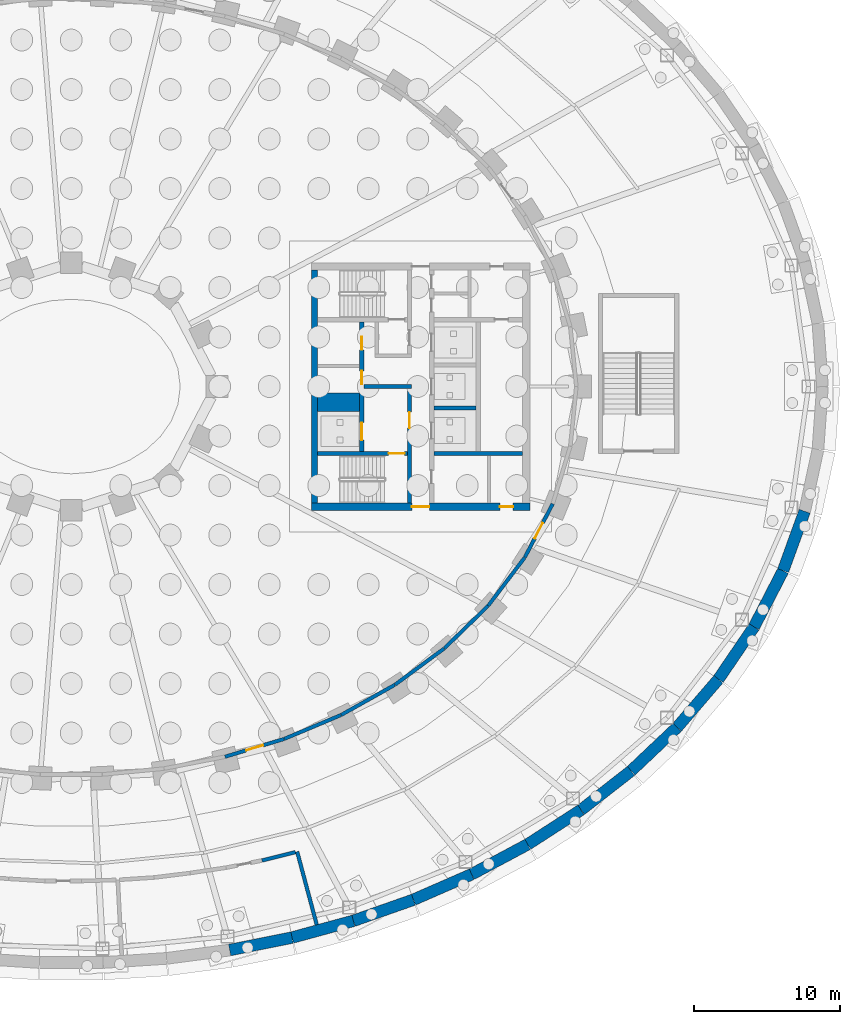
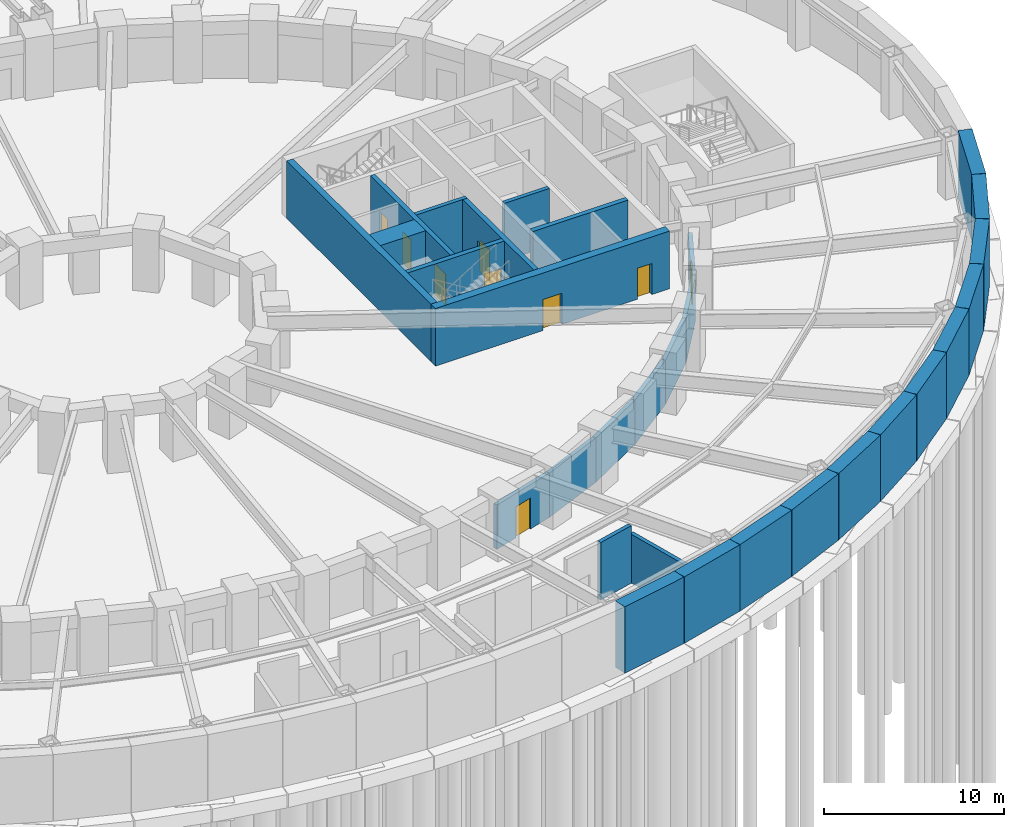
# One storey, part 13 of 19: 30 walls, 9 doors, 9 openings.
"""IFC4 building model written with IfcOpenShell, lengths in metres."""

from ifc_helpers import new_model, si_unit, direction, frame, frame_2d, origin, place, context, subcontext, project, spatial, rectangle, extrude, material, layer, layer_set, type_object, element, fill, save


model = new_model("IFC4")

# Units and contexts
model_context = context("Model", 3, precision=1e-05, world=origin(), true_north=direction((0.0, 1.0)))
body_context = subcontext(model_context, "Body", "Model", "MODEL_VIEW")
ifc_project = project(units=[si_unit("LENGTHUNIT", "METRE"), si_unit("AREAUNIT", "SQUARE_METRE"), si_unit("VOLUMEUNIT", "CUBIC_METRE"), si_unit("PLANEANGLEUNIT", "RADIAN"), si_unit("MASSUNIT", "GRAM", prefix="KILO")], contexts=[model_context])

# Site, building, storey
site_placement = place(None, origin())
site = spatial("IfcSite", under=ifc_project, at=site_placement, CompositionType="ELEMENT")
building_placement = place(site_placement, origin())
building = spatial("IfcBuilding", under=site, at=building_placement, Name="Noorbagh Ring Tower", CompositionType="ELEMENT")
storey_placement = place(building_placement, frame((0.0, 0.0, -8.39990234375)))
storey = spatial("IfcBuildingStorey", under=building, at=storey_placement, Name="B2", CompositionType="ELEMENT", Elevation=-8.39990234375)

# Walls
ifc_material_1 = material(Name="Concrete C70/85", Category="concrete")
ifc_layer_1 = layer(ifc_material_1, 1.25)
ifc_layer_set_1 = layer_set([ifc_layer_1], Name="Concrete C70/85")
wall_type_1 = type_object("IfcWallType", Name="CORE-WALL-1250-C70-85-EI120", PredefinedType="SHEAR", material=ifc_layer_set_1)
wall_1_placement = place(storey_placement, frame((16.89990234375, -1.074951171875, 0.0), z_axis=(0.0, 0.0, 1.0), x_axis=(1.0, 0.0, 0.0)))
element("IfcWall", 1, at=wall_1_placement, inside=storey, type_object=wall_type_1, Name="Core wall E", PredefinedType="SHEAR", context=body_context, shape_type="SweptSolid", body=[
    extrude(rectangle(XDim=2.900146484375, YDim=1.25, at=frame_2d((1.4501953125, 0.0))), origin(), (0.0, 0.0, 1.0), 3.89990234375),
])
ifc_material_2 = material(Name="Concrete C70/85", Category="concrete")
ifc_layer_2 = layer(ifc_material_2, 0.25)
ifc_layer_set_2 = layer_set([ifc_layer_2], Name="Concrete C70/85")
wall_type_2 = type_object("IfcWallType", Name="CORE-WALL-250-C70-85-EI120", PredefinedType="SHEAR", material=ifc_layer_set_2)
wall_2_placement = place(storey_placement, frame((24.89990234375, -1.47509765625, 0.0), z_axis=(0.0, 0.0, 1.0), x_axis=(1.0, 0.0, 0.0)))
element("IfcWall", 2, at=wall_2_placement, inside=storey, type_object=wall_type_2, Name="Core wall E", PredefinedType="SHEAR", context=body_context, shape_type="SweptSolid", body=[
    extrude(rectangle(XDim=2.900146484375, YDim=0.25, at=frame_2d((1.4501953125, 0.0))), origin(), (0.0, 0.0, 1.0), 3.89990234375),
])
ifc_material_3 = material(Name="Concrete C70/85", Category="concrete")
ifc_layer_3 = layer(ifc_material_3, 0.25)
ifc_layer_set_3 = layer_set([ifc_layer_3], Name="Concrete C70/85")
wall_type_3 = type_object("IfcWallType", Name="CORE-WALL-250-C70-85-EI240", PredefinedType="SHEAR", material=ifc_layer_set_3)
wall_3_placement = place(storey_placement, frame((20.10009765625, 0.0, 0.0), z_axis=(0.0, 0.0, 1.0), x_axis=(1.0, 0.0, 0.0)))
element("IfcWall", 3, at=wall_3_placement, inside=storey, type_object=wall_type_3, Name="Core wall E", PredefinedType="SHEAR", context=body_context, shape_type="SweptSolid", body=[
    extrude(rectangle(XDim=3.27978515625, YDim=0.25, at=frame_2d((1.639892578125, 0.0))), origin(), (0.0, 0.0, 1.0), 3.89990234375),
])

# Wall, openings, doors
ifc_material_4 = material(Name="Concrete C70/85", Category="concrete")
ifc_layer_4 = layer(ifc_material_4, 0.300048828125)
ifc_layer_set_4 = layer_set([ifc_layer_4], Name="Concrete C70/85")
wall_type_4 = type_object("IfcWallType", Name="CORE-WALL-300-C70-85-EI120", PredefinedType="SHEAR", material=ifc_layer_set_4)
wall_4_placement = place(storey_placement, frame((19.949951171875, -4.449951171875, 0.0), z_axis=(0.0, 0.0, 1.0), x_axis=(0.0, 1.0, 0.0)))
wall_4 = element("IfcWall", 4, at=wall_4_placement, inside=storey, type_object=wall_type_4, Name="Core wall E", PredefinedType="SHEAR", context=body_context, shape_type="SweptSolid", body=[
    extrude(rectangle(XDim=8.89990234375, YDim=0.300048828125, at=frame_2d((4.449951171875, 0.0))), origin(), (0.0, 0.0, 1.0), 3.89990234375),
])
opening_1_placement = place(wall_4_placement, frame((0.77490234375, 0.0, 0.0)))
opening_1 = element("IfcOpeningElement", 5, at=opening_1_placement, cuts=wall_4, Name="Opening B2-CE01", PredefinedType="OPENING", context=body_context, shape_type="SweptSolid", body=[
    extrude(rectangle(XDim=1.199951171875, YDim=2.10009765625, at=frame_2d((0.60009765625, 1.050048828125))), frame((0.0, 0.16015625, 0.0), z_axis=(0.0, -1.0, 0.0), x_axis=(1.0, 0.0, 0.0)), (0.0, 0.0, 1.0), 0.320068359375),
])
opening_2_placement = place(wall_4_placement, frame((4.6201171875, 0.0, 0.0)))
opening_2 = element("IfcOpeningElement", 6, at=opening_2_placement, cuts=wall_4, Name="Opening B2-CE11", PredefinedType="OPENING", context=body_context, shape_type="SweptSolid", body=[
    extrude(rectangle(XDim=0.89990234375, YDim=2.10009765625, at=frame_2d((0.449951171875, 1.050048828125))), frame((0.0, 0.16015625, 0.0), z_axis=(0.0, -1.0, 0.0), x_axis=(1.0, 0.0, 0.0)), (0.0, 0.0, 1.0), 0.320068359375),
])
opening_3_placement = place(wall_4_placement, frame((6.97509765625, 0.0, 0.0)))
opening_3 = element("IfcOpeningElement", 7, at=opening_3_placement, cuts=wall_4, Name="Opening B2-CE12", PredefinedType="OPENING", context=body_context, shape_type="SweptSolid", body=[
    extrude(rectangle(XDim=0.89990234375, YDim=2.10009765625, at=frame_2d((0.449951171875, 1.050048828125))), frame((0.0, 0.16015625, 0.0), z_axis=(0.0, -1.0, 0.0), x_axis=(1.0, 0.0, 0.0)), (0.0, 0.0, 1.0), 0.320068359375),
])
ifc_material_5 = material(Name="Steel door leaf", Category="steel")
door_type_1 = type_object("IfcDoorType", Name="CORE-DOOR-DROOM", OperationType="SINGLE_SWING_LEFT", PredefinedType="DOOR", material=ifc_material_5)
door_1_placement = place(opening_2_placement, origin())
door_1 = element("IfcDoor", 8, at=door_1_placement, inside=storey, type_object=door_type_1, Name="Core room door B2-CE11", OperationType="SINGLE_SWING_LEFT", OverallHeight=2.10009765625, OverallWidth=0.89990234375, PredefinedType="DOOR", context=body_context, shape_type="SweptSolid", body=[
    extrude(rectangle(XDim=0.89990234375, YDim=2.10009765625, at=frame_2d((0.449951171875, 1.050048828125))), frame((0.0, 0.02490234375, 0.0), z_axis=(0.0, -1.0, 0.0), x_axis=(1.0, 0.0, 0.0)), (0.0, 0.0, 1.0), 0.050048828125),
])
fill(opening_2, door_1)
door_2_placement = place(opening_3_placement, origin())
door_2 = element("IfcDoor", 9, at=door_2_placement, inside=storey, type_object=door_type_1, Name="Core room door B2-CE12", OperationType="SINGLE_SWING_RIGHT", OverallHeight=2.10009765625, OverallWidth=0.89990234375, PredefinedType="DOOR", context=body_context, shape_type="SweptSolid", body=[
    extrude(rectangle(XDim=0.89990234375, YDim=2.10009765625, at=frame_2d((0.449951171875, 1.050048828125))), frame((0.0, 0.02490234375, 0.0), z_axis=(0.0, -1.0, 0.0), x_axis=(1.0, 0.0, 0.0)), (0.0, 0.0, 1.0), 0.050048828125),
])
fill(opening_3, door_2)
ifc_material_6 = material(Name="Steel door leaf", Category="steel")
door_type_2 = type_object("IfcDoorType", Name="CORE-DOOR-LDW", OperationType="DOUBLE_DOOR_SLIDING", PredefinedType="DOOR", material=ifc_material_6)
door_3_placement = place(opening_1_placement, origin())
door_3 = element("IfcDoor", 10, at=door_3_placement, inside=storey, type_object=door_type_2, Name="Landing door FF2 B2-CE01", OperationType="DOUBLE_DOOR_SLIDING", OverallHeight=2.10009765625, OverallWidth=1.199951171875, PredefinedType="DOOR", context=body_context, shape_type="SweptSolid", body=[
    extrude(rectangle(XDim=1.199951171875, YDim=2.10009765625, at=frame_2d((0.60009765625, 1.050048828125))), frame((0.0, 0.02490234375, 0.0), z_axis=(0.0, -1.0, 0.0), x_axis=(1.0, 0.0, 0.0)), (0.0, 0.0, 1.0), 0.050048828125),
])
fill(opening_1, door_3)

# Wall
ifc_material_7 = material(Name="Concrete C70/85", Category="concrete")
ifc_layer_5 = layer(ifc_material_7, 0.300048828125)
ifc_layer_set_5 = layer_set([ifc_layer_5], Name="Concrete C70/85")
wall_type_5 = type_object("IfcWallType", Name="CORE-WALL-300-C70-85-EI240", PredefinedType="SHEAR", material=ifc_layer_set_5)
wall_5_placement = place(storey_placement, frame((24.89990234375, -4.60009765625, 0.0), z_axis=(0.0, 0.0, 1.0), x_axis=(1.0, 0.0, 0.0)))
element("IfcWall", 11, at=wall_5_placement, inside=storey, type_object=wall_type_5, Name="Core wall E", PredefinedType="SHEAR", context=body_context, shape_type="SweptSolid", body=[
    extrude(rectangle(XDim=6.10009765625, YDim=0.300048828125, at=frame_2d((3.050048828125, 0.0))), origin(), (0.0, 0.0, 1.0), 3.89990234375),
])

# Wall, opening, door
wall_6_placement = place(storey_placement, frame((23.22998046875, -8.0, 0.0), z_axis=(0.0, 0.0, 1.0), x_axis=(0.0, 1.0, 0.0)))
wall_6 = element("IfcWall", 12, at=wall_6_placement, inside=storey, type_object=wall_type_5, Name="Core wall E", PredefinedType="SHEAR", context=body_context, shape_type="SweptSolid", body=[
    extrude(rectangle(XDim=7.875, YDim=0.300048828125, at=frame_2d((3.9375, 0.0))), origin(), (0.0, 0.0, 1.0), 3.89990234375),
])
opening_4_placement = place(wall_6_placement, frame((5.14990234375, 0.0, 0.0)))
opening_4 = element("IfcOpeningElement", 13, at=opening_4_placement, cuts=wall_6, Name="Opening B2-CE07", PredefinedType="OPENING", context=body_context, shape_type="SweptSolid", body=[
    extrude(rectangle(XDim=1.10009765625, YDim=2.10009765625, at=frame_2d((0.550048828125, 1.050048828125))), frame((0.0, 0.16015625, 0.0), z_axis=(0.0, -1.0, 0.0), x_axis=(1.0, 0.0, 0.0)), (0.0, 0.0, 1.0), 0.320068359375),
])
ifc_material_8 = material(Name="Steel door leaf", Category="steel")
door_type_3 = type_object("IfcDoorType", Name="CORE-DOOR-DFF", OperationType="SINGLE_SWING_LEFT", PredefinedType="DOOR", material=ifc_material_8)
door_4_placement = place(opening_4_placement, origin())
door_4 = element("IfcDoor", 14, at=door_4_placement, inside=storey, type_object=door_type_3, Name="Firefighting lobby door B2-CE07", OperationType="SINGLE_SWING_RIGHT", OverallHeight=2.10009765625, OverallWidth=1.10009765625, PredefinedType="DOOR", context=body_context, shape_type="SweptSolid", body=[
    extrude(rectangle(XDim=1.10009765625, YDim=2.10009765625, at=frame_2d((0.550048828125, 1.050048828125))), frame((0.0, 0.02490234375, 0.0), z_axis=(0.0, -1.0, 0.0), x_axis=(1.0, 0.0, 0.0)), (0.0, 0.0, 1.0), 0.050048828125),
])
fill(opening_4, door_4)

wall_7_placement = place(storey_placement, frame((16.89990234375, -4.60009765625, 0.0), z_axis=(0.0, 0.0, 1.0), x_axis=(1.0, 0.0, 0.0)))
wall_7 = element("IfcWall", 15, at=wall_7_placement, inside=storey, type_object=wall_type_5, Name="Core wall E", PredefinedType="SHEAR", context=body_context, shape_type="SweptSolid", body=[
    extrude(rectangle(XDim=6.18017578125, YDim=0.300048828125, at=frame_2d((3.090087890625, 0.0))), origin(), (0.0, 0.0, 1.0), 3.89990234375),
])
opening_5_placement = place(wall_7_placement, frame((4.89990234375, 0.0, 0.0)))
opening_5 = element("IfcOpeningElement", 16, at=opening_5_placement, cuts=wall_7, Name="Opening B2-CE06", PredefinedType="OPENING", context=body_context, shape_type="SweptSolid", body=[
    extrude(rectangle(XDim=1.10009765625, YDim=2.10009765625, at=frame_2d((0.550048828125, 1.050048828125))), frame((0.0, 0.16015625, 0.0), z_axis=(0.0, -1.0, 0.0), x_axis=(1.0, 0.0, 0.0)), (0.0, 0.0, 1.0), 0.320068359375),
])
ifc_material_9 = material(Name="Steel door leaf", Category="steel")
door_type_4 = type_object("IfcDoorType", Name="CORE-DOOR-DSTAIR", OperationType="SINGLE_SWING_LEFT", PredefinedType="DOOR", material=ifc_material_9)
door_5_placement = place(opening_5_placement, origin())
door_5 = element("IfcDoor", 17, at=door_5_placement, inside=storey, type_object=door_type_4, Name="Stair door ST4 B2-CE06", OperationType="SINGLE_SWING_RIGHT", OverallHeight=2.10009765625, OverallWidth=1.10009765625, PredefinedType="DOOR", context=body_context, shape_type="SweptSolid", body=[
    extrude(rectangle(XDim=1.10009765625, YDim=2.10009765625, at=frame_2d((0.550048828125, 1.050048828125))), frame((0.0, 0.02490234375, 0.0), z_axis=(0.0, -1.0, 0.0), x_axis=(1.0, 0.0, 0.0)), (0.0, 0.0, 1.0), 0.050048828125),
])
fill(opening_5, door_5)

# Wall
ifc_material_10 = material(Name="Concrete C70/85", Category="concrete")
ifc_layer_6 = layer(ifc_material_10, 0.39990234375)
ifc_layer_set_6 = layer_set([ifc_layer_6], Name="Concrete C70/85")
wall_type_6 = type_object("IfcWallType", Name="CORE-WALL-400-C70-85-EI240", PredefinedType="SHEAR", material=ifc_layer_set_6)
wall_8_placement = place(storey_placement, frame((16.699951171875, -8.0, 0.0), z_axis=(0.0, 0.0, 1.0), x_axis=(0.0, 1.0, 0.0)))
element("IfcWall", 18, at=wall_8_placement, inside=storey, type_object=wall_type_6, Name="Core wall E", PredefinedType="SHEAR", context=body_context, shape_type="SweptSolid", body=[
    extrude(rectangle(XDim=16.0, YDim=0.39990234375, at=frame_2d((8.0, 0.0))), origin(), (0.0, 0.0, 1.0), 3.89990234375),
])

# Wall, openings, doors
ifc_material_11 = material(Name="Concrete C70/85", Category="concrete")
ifc_layer_7 = layer(ifc_material_11, 0.5)
ifc_layer_set_7 = layer_set([ifc_layer_7], Name="Concrete C70/85")
wall_type_7 = type_object("IfcWallType", Name="CORE-WALL-500-C70-85-EI240", PredefinedType="SHEAR", material=ifc_layer_set_7)
wall_9_placement = place(storey_placement, frame((16.5, -8.25, 0.0), z_axis=(0.0, 0.0, 1.0), x_axis=(1.0, 0.0, 0.0)))
wall_9 = element("IfcWall", 19, at=wall_9_placement, inside=storey, type_object=wall_type_7, Name="Core wall E", PredefinedType="SHEAR", context=body_context, shape_type="SweptSolid", body=[
    extrude(rectangle(XDim=15.0, YDim=0.5, at=frame_2d((7.5, 0.0))), origin(), (0.0, 0.0, 1.0), 3.89990234375),
])
opening_6_placement = place(wall_9_placement, frame((6.89990234375, 0.0, 0.0)))
opening_6 = element("IfcOpeningElement", 20, at=opening_6_placement, cuts=wall_9, Name="Opening B2-CE10", PredefinedType="OPENING", context=body_context, shape_type="SweptSolid", body=[
    extrude(rectangle(XDim=1.199951171875, YDim=2.10009765625, at=frame_2d((0.60009765625, 1.050048828125))), frame((0.0, 0.260009765625, 0.0), z_axis=(0.0, -1.0, 0.0), x_axis=(1.0, 0.0, 0.0)), (0.0, 0.0, 1.0), 0.52001953125),
])
opening_7_placement = place(wall_9_placement, frame((12.949951171875, 0.0, 0.0)))
opening_7 = element("IfcOpeningElement", 21, at=opening_7_placement, cuts=wall_9, Name="Opening B2-CE17", PredefinedType="OPENING", context=body_context, shape_type="SweptSolid", body=[
    extrude(rectangle(XDim=0.89990234375, YDim=2.10009765625, at=frame_2d((0.449951171875, 1.050048828125))), frame((0.0, 0.260009765625, 0.0), z_axis=(0.0, -1.0, 0.0), x_axis=(1.0, 0.0, 0.0)), (0.0, 0.0, 1.0), 0.52001953125),
])
door_6_placement = place(opening_7_placement, origin())
door_6 = element("IfcDoor", 22, at=door_6_placement, inside=storey, type_object=door_type_1, Name="Core room door B2-CE17", OperationType="SINGLE_SWING_RIGHT", OverallHeight=2.10009765625, OverallWidth=0.89990234375, PredefinedType="DOOR", context=body_context, shape_type="SweptSolid", body=[
    extrude(rectangle(XDim=0.89990234375, YDim=2.10009765625, at=frame_2d((0.449951171875, 1.050048828125))), frame((0.0, 0.02490234375, 0.0), z_axis=(0.0, -1.0, 0.0), x_axis=(1.0, 0.0, 0.0)), (0.0, 0.0, 1.0), 0.050048828125),
])
fill(opening_7, door_6)
ifc_material_12 = material(Name="Steel door leaf", Category="steel")
door_type_5 = type_object("IfcDoorType", Name="CORE-DOOR-PORT", OperationType="DOUBLE_DOOR_DOUBLE_SWING", PredefinedType="DOOR", material=ifc_material_12)
door_7_placement = place(opening_6_placement, origin())
door_7 = element("IfcDoor", 23, at=door_7_placement, inside=storey, type_object=door_type_5, Name="Core entrance door B2-CE10", OperationType="DOUBLE_DOOR_DOUBLE_SWING", OverallHeight=2.10009765625, OverallWidth=1.199951171875, PredefinedType="DOOR", context=body_context, shape_type="SweptSolid", body=[
    extrude(rectangle(XDim=1.199951171875, YDim=2.10009765625, at=frame_2d((0.60009765625, 1.050048828125))), frame((0.0, 0.02490234375, 0.0), z_axis=(0.0, -1.0, 0.0), x_axis=(1.0, 0.0, 0.0)), (0.0, 0.0, 1.0), 0.050048828125),
])
fill(opening_6, door_7)

# Walls
ifc_material_13 = material(Name="Concrete C40/50", Category="concrete")
ifc_layer_8 = layer(ifc_material_13, 0.25)
ifc_layer_set_8 = layer_set([ifc_layer_8], Name="Concrete C40/50")
wall_type_8 = type_object("IfcWallType", Name="GND-WALL-250", PredefinedType="SOLIDWALL", material=ifc_layer_set_8)
wall_10_placement = place(storey_placement, frame((13.0986328125, -32.552490234375, 0.0), z_axis=(0.0, 0.0, 1.0), x_axis=(0.970251621981, 0.242098719625, 0.0)))
element("IfcWall", 24, at=wall_10_placement, inside=storey, type_object=wall_type_8, Name="Records store", PredefinedType="SOLIDWALL", context=body_context, shape_type="SweptSolid", body=[
    extrude(rectangle(XDim=2.36669921875, YDim=0.25, at=frame_2d((1.183349609375, 0.0))), origin(), (0.0, 0.0, 1.0), 3.89990234375),
])
wall_11_placement = place(storey_placement, frame((15.51611328125, -31.94921875, 0.0), z_axis=(0.0, 0.0, 1.0), x_axis=(0.259114679201, -0.965846562878, 0.0)))
element("IfcWall", 25, at=wall_11_placement, inside=storey, type_object=wall_type_8, Name="Records store", PredefinedType="SOLIDWALL", context=body_context, shape_type="SweptSolid", body=[
    extrude(rectangle(XDim=5.199951171875, YDim=0.25, at=frame_2d((2.60009765625, 0.0))), origin(), (0.0, 0.0, 1.0), 3.2998046875),
])

# Wall, opening, door
ifc_material_14 = material(Name="Concrete C40/50", Category="concrete")
ifc_layer_9 = layer(ifc_material_14, 0.25)
ifc_layer_set_9 = layer_set([ifc_layer_9], Name="Concrete C40/50")
wall_type_9 = type_object("IfcWallType", Name="GND-WALL-RING", PredefinedType="SOLIDWALL", material=ifc_layer_set_9)
wall_12_placement = place(storey_placement, frame((10.561767578125, -25.427978515625, 0.0), z_axis=(0.0, 0.0, 1.0), x_axis=(0.957589494621, 0.28813600919, 0.0)))
wall_12 = element("IfcWall", 26, at=wall_12_placement, inside=storey, type_object=wall_type_9, Name="Tower basement fire wall", PredefinedType="SOLIDWALL", context=body_context, shape_type="SweptSolid", body=[
    extrude(rectangle(XDim=4.234130859375, YDim=0.25, at=frame_2d((2.1171875, 0.0))), origin(), (0.0, 0.0, 1.0), 3.0),
])
opening_8_placement = place(wall_12_placement, frame((1.51708984375, 0.0, 0.0)))
opening_8 = element("IfcOpeningElement", 27, at=opening_8_placement, cuts=wall_12, Name="Opening GD4", PredefinedType="OPENING", context=body_context, shape_type="SweptSolid", body=[
    extrude(rectangle(XDim=1.199951171875, YDim=2.10009765625, at=frame_2d((0.60009765625, 1.050048828125))), frame((0.0, 0.135009765625, 0.0), z_axis=(0.0, -1.0, 0.0), x_axis=(1.0, 0.0, 0.0)), (0.0, 0.0, 1.0), 0.27001953125),
])
ifc_material_15 = material(Name="Steel", Category="steel")
door_type_6 = type_object("IfcDoorType", Name="GND-DOOR-RING", OperationType="DOUBLE_DOOR_SINGLE_SWING", PredefinedType="DOOR", material=ifc_material_15)
door_8_placement = place(opening_8_placement, origin())
door_8 = element("IfcDoor", 28, at=door_8_placement, inside=storey, type_object=door_type_6, Name="Tower basement door", OperationType="DOUBLE_DOOR_SINGLE_SWING", OverallHeight=2.10009765625, OverallWidth=1.199951171875, PredefinedType="DOOR", context=body_context, shape_type="SweptSolid", body=[
    extrude(rectangle(XDim=1.199951171875, YDim=2.10009765625, at=frame_2d((0.60009765625, 1.050048828125))), frame((0.0, 0.02490234375, 0.0), z_axis=(0.0, -1.0, 0.0), x_axis=(1.0, 0.0, 0.0)), (0.0, 0.0, 1.0), 0.050048828125),
])
fill(opening_8, door_8)

# Walls
wall_13_placement = place(storey_placement, frame((14.633056640625, -24.201904296875, 0.0), z_axis=(0.0, 0.0, 1.0), x_axis=(0.921810386469, 0.387641085798, 0.0)))
element("IfcWall", 29, at=wall_13_placement, inside=storey, type_object=wall_type_9, Name="Tower basement fire wall", PredefinedType="SOLIDWALL", context=body_context, shape_type="SweptSolid", body=[
    extrude(rectangle(XDim=4.225341796875, YDim=0.25, at=frame_2d((2.11279296875, 0.0))), origin(), (0.0, 0.0, 1.0), 3.0),
])
wall_14_placement = place(storey_placement, frame((18.544189453125, -22.555908203125, 0.0), z_axis=(0.0, 0.0, 1.0), x_axis=(0.872061015455, 0.489397165218, 0.0)))
element("IfcWall", 30, at=wall_14_placement, inside=storey, type_object=wall_type_9, Name="Tower basement fire wall", PredefinedType="SOLIDWALL", context=body_context, shape_type="SweptSolid", body=[
    extrude(rectangle(XDim=4.21337890625, YDim=0.25, at=frame_2d((2.106689453125, 0.0))), origin(), (0.0, 0.0, 1.0), 3.0),
])
wall_15_placement = place(storey_placement, frame((22.2333984375, -20.484130859375, 0.0), z_axis=(0.0, 0.0, 1.0), x_axis=(0.805155221937, 0.593064135306, 0.0)))
element("IfcWall", 31, at=wall_15_placement, inside=storey, type_object=wall_type_9, Name="Tower basement fire wall", PredefinedType="SOLIDWALL", context=body_context, shape_type="SweptSolid", body=[
    extrude(rectangle(XDim=4.197998046875, YDim=0.25, at=frame_2d((2.09912109375, 0.0))), origin(), (0.0, 0.0, 1.0), 3.0),
])
wall_16_placement = place(storey_placement, frame((25.627197265625, -17.98291015625, 0.0), z_axis=(0.0, 0.0, 1.0), x_axis=(0.717227656803, 0.696838925661, 0.0)))
element("IfcWall", 32, at=wall_16_placement, inside=storey, type_object=wall_type_9, Name="Tower basement fire wall", PredefinedType="SOLIDWALL", context=body_context, shape_type="SweptSolid", body=[
    extrude(rectangle(XDim=4.178955078125, YDim=0.25, at=frame_2d((2.08935546875, 0.0))), origin(), (0.0, 0.0, 1.0), 3.0),
])
wall_17_placement = place(storey_placement, frame((28.636474609375, -15.05712890625, 0.0), z_axis=(0.0, 0.0, 1.0), x_axis=(0.604041965907, 0.796952510143, 0.0)))
element("IfcWall", 33, at=wall_17_placement, inside=storey, type_object=wall_type_9, Name="Tower basement fire wall", PredefinedType="SOLIDWALL", context=body_context, shape_type="SweptSolid", body=[
    extrude(rectangle(XDim=4.157470703125, YDim=0.25, at=frame_2d((2.07861328125, 0.0))), origin(), (0.0, 0.0, 1.0), 3.0),
])

# Wall, opening, door
wall_18_placement = place(storey_placement, frame((31.1572265625, -11.728759765625, 0.0), z_axis=(0.0, 0.0, 1.0), x_axis=(0.462265314279, 0.886741664305, 0.0)))
wall_18 = element("IfcWall", 34, at=wall_18_placement, inside=storey, type_object=wall_type_9, Name="Tower basement fire wall", PredefinedType="SOLIDWALL", context=body_context, shape_type="SweptSolid", body=[
    extrude(rectangle(XDim=4.134765625, YDim=0.25, at=frame_2d((2.0673828125, 0.0))), origin(), (0.0, 0.0, 1.0), 3.0),
])
opening_9_placement = place(wall_18_placement, frame((1.46728515625, 0.0, 0.0)))
opening_9 = element("IfcOpeningElement", 35, at=opening_9_placement, cuts=wall_18, Name="Opening GD4", PredefinedType="OPENING", context=body_context, shape_type="SweptSolid", body=[
    extrude(rectangle(XDim=1.199951171875, YDim=2.10009765625, at=frame_2d((0.60009765625, 1.050048828125))), frame((0.0, 0.135009765625, 0.0), z_axis=(0.0, -1.0, 0.0), x_axis=(1.0, 0.0, 0.0)), (0.0, 0.0, 1.0), 0.27001953125),
])
door_9_placement = place(opening_9_placement, origin())
door_9 = element("IfcDoor", 36, at=door_9_placement, inside=storey, type_object=door_type_6, Name="Tower basement door", OperationType="DOUBLE_DOOR_SINGLE_SWING", OverallHeight=2.10009765625, OverallWidth=1.199951171875, PredefinedType="DOOR", context=body_context, shape_type="SweptSolid", body=[
    extrude(rectangle(XDim=1.199951171875, YDim=2.10009765625, at=frame_2d((0.60009765625, 1.050048828125))), frame((0.0, 0.02490234375, 0.0), z_axis=(0.0, -1.0, 0.0), x_axis=(1.0, 0.0, 0.0)), (0.0, 0.0, 1.0), 0.050048828125),
])
fill(opening_9, door_9)

# Walls
ifc_material_16 = material(Name="Concrete C40/50", Category="concrete")
ifc_layer_10 = layer(ifc_material_16, 0.800048828125)
ifc_layer_set_10 = layer_set([ifc_layer_10], Name="Concrete C40/50")
wall_type_10 = type_object("IfcWallType", Name="STR-RETAINING-WALL", PredefinedType="SOLIDWALL", material=ifc_layer_set_10)
wall_19_placement = place(storey_placement, frame((10.880126953125, -38.708984375, -0.300048828125), z_axis=(0.0, 0.0, 1.0), x_axis=(0.980494629762, 0.196545875071, 0.0)))
element("IfcWall", 37, at=wall_19_placement, inside=storey, type_object=wall_type_10, Name="B2/retwall/53", PredefinedType="SOLIDWALL", context=body_context, shape_type="SweptSolid", body=[
    extrude(rectangle(XDim=4.369873046875, YDim=0.800048828125, at=frame_2d((2.18505859375, 0.0))), origin(), (0.0, 0.0, 1.0), 4.5),
])
wall_20_placement = place(storey_placement, frame((15.164794921875, -37.85009765625, -0.300048828125), z_axis=(0.0, 0.0, 1.0), x_axis=(0.964679950239, 0.263424739931, 0.0)))
element("IfcWall", 38, at=wall_20_placement, inside=storey, type_object=wall_type_10, Name="B2/retwall/54", PredefinedType="SOLIDWALL", context=body_context, shape_type="SweptSolid", body=[
    extrude(rectangle(XDim=4.368896484375, YDim=0.800048828125, at=frame_2d((2.1845703125, 0.0))), origin(), (0.0, 0.0, 1.0), 4.5),
])
wall_21_placement = place(storey_placement, frame((19.37939453125, -36.69921875, -0.300048828125), z_axis=(0.0, 0.0, 1.0), x_axis=(0.943526738033, 0.331296384853, 0.0)))
element("IfcWall", 39, at=wall_21_placement, inside=storey, type_object=wall_type_10, Name="B2/retwall/55", PredefinedType="SOLIDWALL", context=body_context, shape_type="SweptSolid", body=[
    extrude(rectangle(XDim=4.36767578125, YDim=0.800048828125, at=frame_2d((2.183837890625, 0.0))), origin(), (0.0, 0.0, 1.0), 4.5),
])
wall_22_placement = place(storey_placement, frame((23.50048828125, -35.252197265625, -0.300048828125), z_axis=(0.0, 0.0, 1.0), x_axis=(0.916336904548, 0.400408138483, 0.0)))
element("IfcWall", 40, at=wall_22_placement, inside=storey, type_object=wall_type_10, Name="B2/retwall/56", PredefinedType="SOLIDWALL", context=body_context, shape_type="SweptSolid", body=[
    extrude(rectangle(XDim=4.3662109375, YDim=0.800048828125, at=frame_2d((2.18310546875, 0.0))), origin(), (0.0, 0.0, 1.0), 4.5),
])
wall_23_placement = place(storey_placement, frame((27.50146484375, -33.50390625, -0.300048828125), z_axis=(0.0, 0.0, 1.0), x_axis=(0.882159305704, 0.47095112205, 0.0)))
element("IfcWall", 41, at=wall_23_placement, inside=storey, type_object=wall_type_10, Name="B2/retwall/57", PredefinedType="SOLIDWALL", context=body_context, shape_type="SweptSolid", body=[
    extrude(rectangle(XDim=4.364501953125, YDim=0.800048828125, at=frame_2d((2.18212890625, 0.0))), origin(), (0.0, 0.0, 1.0), 4.5),
])
wall_24_placement = place(storey_placement, frame((31.3515625, -31.448486328125, -0.300048828125), z_axis=(0.0, 0.0, 1.0), x_axis=(0.840047348843, 0.542513088969, 0.0)))
element("IfcWall", 42, at=wall_24_placement, inside=storey, type_object=wall_type_10, Name="B2/retwall/58", PredefinedType="SOLIDWALL", context=body_context, shape_type="SweptSolid", body=[
    extrude(rectangle(XDim=4.362060546875, YDim=0.800048828125, at=frame_2d((2.18115234375, 0.0))), origin(), (0.0, 0.0, 1.0), 4.5),
])
wall_25_placement = place(storey_placement, frame((35.015869140625, -29.08203125, -0.300048828125), z_axis=(0.0, 0.0, 1.0), x_axis=(0.788491985196, 0.615045030288, 0.0)))
element("IfcWall", 43, at=wall_25_placement, inside=storey, type_object=wall_type_10, Name="B2/retwall/59", PredefinedType="SOLIDWALL", context=body_context, shape_type="SweptSolid", body=[
    extrude(rectangle(XDim=4.359375, YDim=0.800048828125, at=frame_2d((2.1796875, 0.0))), origin(), (0.0, 0.0, 1.0), 4.5),
])
wall_26_placement = place(storey_placement, frame((38.453125, -26.40087890625, -0.300048828125), z_axis=(0.0, 0.0, 1.0), x_axis=(0.72620446032, 0.687478786444, 0.0)))
element("IfcWall", 44, at=wall_26_placement, inside=storey, type_object=wall_type_10, Name="B2/retwall/60", PredefinedType="SOLIDWALL", context=body_context, shape_type="SweptSolid", body=[
    extrude(rectangle(XDim=4.356201171875, YDim=0.800048828125, at=frame_2d((2.17822265625, 0.0))), origin(), (0.0, 0.0, 1.0), 4.5),
])
wall_27_placement = place(storey_placement, frame((41.61669921875, -23.406005859375, -0.300048828125), z_axis=(0.0, 0.0, 1.0), x_axis=(0.651387059497, 0.758745608699, 0.0)))
element("IfcWall", 45, at=wall_27_placement, inside=storey, type_object=wall_type_10, Name="B2/retwall/61", PredefinedType="SOLIDWALL", context=body_context, shape_type="SweptSolid", body=[
    extrude(rectangle(XDim=4.3525390625, YDim=0.800048828125, at=frame_2d((2.17626953125, 0.0))), origin(), (0.0, 0.0, 1.0), 4.5),
])
wall_28_placement = place(storey_placement, frame((44.451904296875, -20.103515625, -0.300048828125), z_axis=(0.0, 0.0, 1.0), x_axis=(0.562667738859, 0.82668314102, 0.0)))
element("IfcWall", 46, at=wall_28_placement, inside=storey, type_object=wall_type_10, Name="B2/retwall/62", PredefinedType="SOLIDWALL", context=body_context, shape_type="SweptSolid", body=[
    extrude(rectangle(XDim=4.348876953125, YDim=0.800048828125, at=frame_2d((2.17431640625, 0.0))), origin(), (0.0, 0.0, 1.0), 4.5),
])
wall_29_placement = place(storey_placement, frame((46.89892578125, -16.50830078125, -0.300048828125), z_axis=(0.0, 0.0, 1.0), x_axis=(0.459242531468, 0.888310923771, 0.0)))
element("IfcWall", 47, at=wall_29_placement, inside=storey, type_object=wall_type_10, Name="B2/retwall/63", PredefinedType="SOLIDWALL", context=body_context, shape_type="SweptSolid", body=[
    extrude(rectangle(XDim=4.344970703125, YDim=0.800048828125, at=frame_2d((2.17236328125, 0.0))), origin(), (0.0, 0.0, 1.0), 4.5),
])
wall_30_placement = place(storey_placement, frame((48.894287109375, -12.648681640625, -0.300048828125), z_axis=(0.0, 0.0, 1.0), x_axis=(0.341286990045, 0.939959142956, 0.0)))
element("IfcWall", 48, at=wall_30_placement, inside=storey, type_object=wall_type_10, Name="B2/retwall/64", PredefinedType="SOLIDWALL", context=body_context, shape_type="SweptSolid", body=[
    extrude(rectangle(XDim=4.341552734375, YDim=0.800048828125, at=frame_2d((2.1708984375, 0.0))), origin(), (0.0, 0.0, 1.0), 4.5),
])

save(model, "model.ifc")
